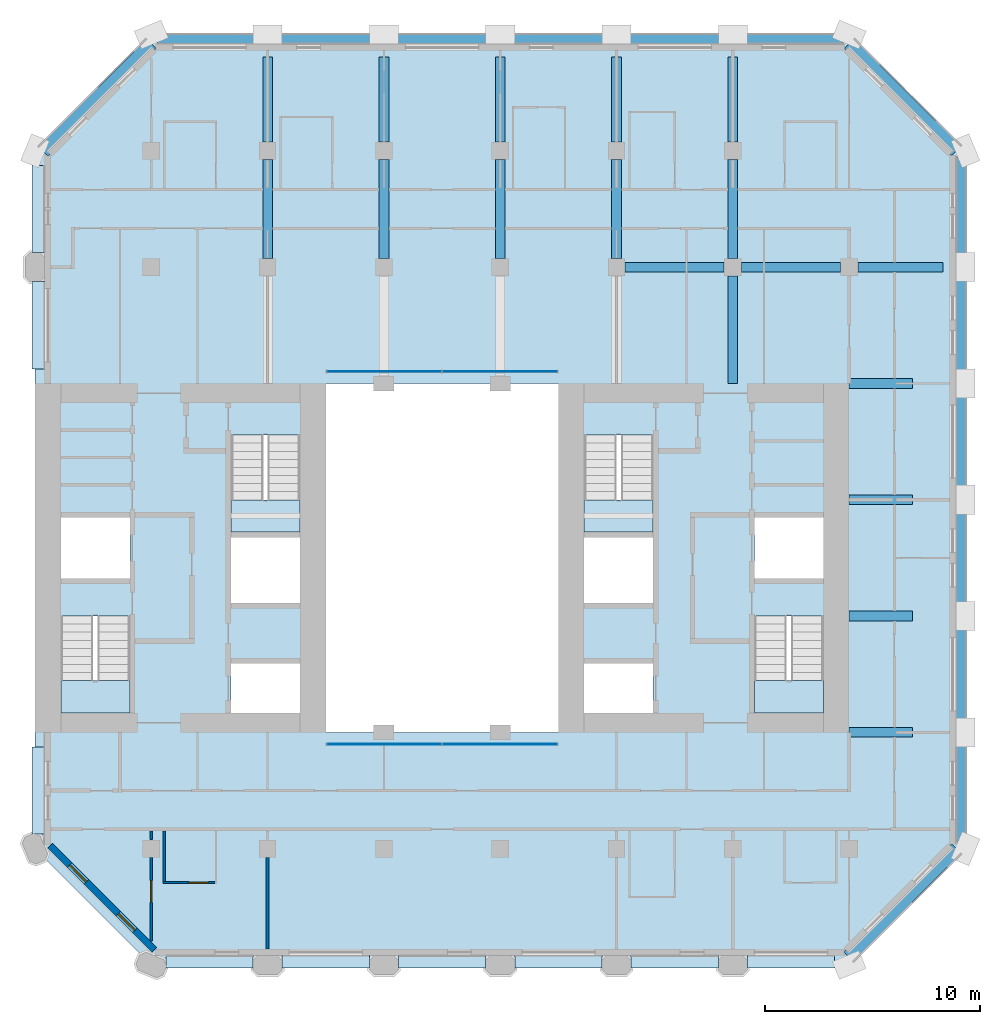
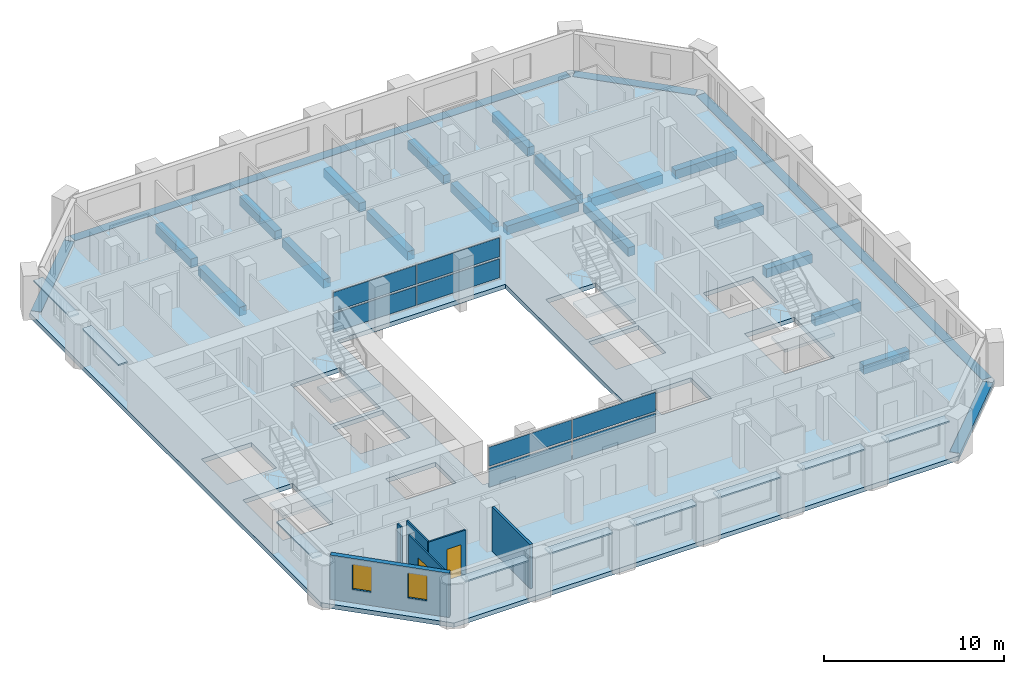
# One storey, part 3 of 12: 23 beams, 17 plates, 6 walls, 5 slabs, 2 doors, 2 windows, 4 openings, 6 elements without a shape of their own.
"""IFC4 building model written with IfcOpenShell, lengths in metres."""

from ifc_helpers import new_model, si_unit, direction, frame, frame_2d, origin, origin_2d, place, context, subcontext, project, spatial, polyline, rectangle, outline, extrude, material, layer, layer_set, material_profile, profile_set, type_object, element, fill, aggregate, save


model = new_model("IFC4")

# Units and contexts
model_context = context("Model", 3, precision=1e-05, world=origin(), true_north=direction((0.0, 1.0)))
body_context = subcontext(model_context, "Body", "Model", "MODEL_VIEW")
ifc_project = project(units=[si_unit("LENGTHUNIT", "METRE"), si_unit("AREAUNIT", "SQUARE_METRE"), si_unit("VOLUMEUNIT", "CUBIC_METRE"), si_unit("PLANEANGLEUNIT", "RADIAN"), si_unit("MASSUNIT", "GRAM", prefix="KILO")], contexts=[model_context])

# Site, building, storey
site_placement = place(None, origin())
site = spatial("IfcSite", under=ifc_project, at=site_placement, CompositionType="ELEMENT")
building_placement = place(site_placement, origin())
building = spatial("IfcBuilding", under=site, at=building_placement, Name="Tabaq Tower and Sports Hall", CompositionType="ELEMENT")
storey_placement = place(building_placement, frame((0.0, 0.0, 197.199951171875)))
storey = spatial("IfcBuildingStorey", under=building, at=storey_placement, Name="L48", CompositionType="ELEMENT", Elevation=197.199951171875)

# Beams
ifc_material_1 = material(Name="Concrete C40/50", Category="concrete")
ifc_material_profile_1 = material_profile(ifc_material_1, rectangle(XDim=0.449951171875, YDim=0.60009765625, at=origin_2d()), Name="CB 450x600")
ifc_profile_set_1 = profile_set([ifc_material_profile_1], Name="Concrete C40/50")
beam_type_1 = type_object("IfcBeamType", Name="PT CANTILEVER BEAM CB 450x600 C40/50", PredefinedType="BEAM", material=ifc_profile_set_1)
for number, where, z_axis, x_axis, name in (
    (1, (46.14990234375, 16.199951171875, -0.599853515625), (-1.0, 0.0, 0.0), (0.0, -1.0, 0.0), "Cantilever Beam L48 E3 span 1"),
    (2, (46.14990234375, 21.60009765625, -0.599853515625), (-1.0, 0.0, 0.0), (0.0, -1.0, 0.0), "Cantilever Beam L48 E4 span 1"),
    (3, (46.14990234375, 27.0, -0.599853515625), (-1.0, 0.0, 0.0), (0.0, -1.0, 0.0), "Cantilever Beam L48 E5 span 1"),
    (4, (46.14990234375, 32.39990234375, -0.599853515625), (-1.0, 0.0, 0.0), (0.0, -1.0, 0.0), "Cantilever Beam L48 E6 span 1"),
):
    element("IfcBeam", number, at=place(storey_placement, frame(where, z_axis=z_axis, x_axis=x_axis)), inside=storey, type_object=beam_type_1, Name=name, PredefinedType="BEAM", context=body_context, shape_type="SweptSolid", body=[
        extrude(rectangle(XDim=0.449951171875, YDim=0.60009765625, at=origin_2d()), origin(), (0.0, 0.0, 1.0), 2.949951171875),
    ])
beam_1_placement = place(storey_placement, frame((47.550048828125, 37.800048828125, -0.599853515625), z_axis=(-1.0, 0.0, 0.0), x_axis=(0.0, -1.0, 0.0)))
element("IfcBeam", 5, at=beam_1_placement, inside=storey, type_object=beam_type_1, Name="Cantilever Beam L48 E7 span 1", PredefinedType="BEAM", context=body_context, shape_type="SweptSolid", body=[
    extrude(rectangle(XDim=0.449951171875, YDim=0.60009765625, at=origin_2d()), origin(), (0.0, 0.0, 1.0), 3.949951171875),
])
beam_2_placement = place(storey_placement, frame((42.800048828125, 37.800048828125, -0.599853515625), z_axis=(-1.0, 0.0, 0.0), x_axis=(0.0, -1.0, 0.0)))
element("IfcBeam", 6, at=beam_2_placement, inside=storey, type_object=beam_type_1, Name="Cantilever Beam L48 E7 span 2", PredefinedType="BEAM", context=body_context, shape_type="SweptSolid", body=[
    extrude(rectangle(XDim=0.449951171875, YDim=0.60009765625, at=origin_2d()), origin(), (0.0, 0.0, 1.0), 4.60009765625),
])
beam_3_placement = place(storey_placement, frame((37.39990234375, 37.800048828125, -0.599853515625), z_axis=(-1.0, 0.0, 0.0), x_axis=(0.0, -1.0, 0.0)))
element("IfcBeam", 7, at=beam_3_placement, inside=storey, type_object=beam_type_1, Name="Cantilever Beam L48 E7 span 3", PredefinedType="BEAM", context=body_context, shape_type="SweptSolid", body=[
    extrude(rectangle(XDim=0.449951171875, YDim=0.60009765625, at=origin_2d()), origin(), (0.0, 0.0, 1.0), 4.599853515625),
])
beam_4_placement = place(storey_placement, frame((16.199951171875, 47.550048828125, -0.599853515625), z_axis=(0.0, -1.0, 0.0), x_axis=(1.0, 0.0, 0.0)))
element("IfcBeam", 8, at=beam_4_placement, inside=storey, type_object=beam_type_1, Name="Cantilever Beam L48 N3 span 1", PredefinedType="BEAM", context=body_context, shape_type="SweptSolid", body=[
    extrude(rectangle(XDim=0.449951171875, YDim=0.60009765625, at=origin_2d()), origin(), (0.0, 0.0, 1.0), 3.949951171875),
])
beam_5_placement = place(storey_placement, frame((16.199951171875, 42.800048828125, -0.599853515625), z_axis=(0.0, -1.0, 0.0), x_axis=(1.0, 0.0, 0.0)))
element("IfcBeam", 9, at=beam_5_placement, inside=storey, type_object=beam_type_1, Name="Cantilever Beam L48 N3 span 2", PredefinedType="BEAM", context=body_context, shape_type="SweptSolid", body=[
    extrude(rectangle(XDim=0.449951171875, YDim=0.60009765625, at=origin_2d()), origin(), (0.0, 0.0, 1.0), 4.60009765625),
])
beam_6_placement = place(storey_placement, frame((21.60009765625, 47.550048828125, -0.599853515625), z_axis=(0.0, -1.0, 0.0), x_axis=(1.0, 0.0, 0.0)))
element("IfcBeam", 10, at=beam_6_placement, inside=storey, type_object=beam_type_1, Name="Cantilever Beam L48 N4 span 1", PredefinedType="BEAM", context=body_context, shape_type="SweptSolid", body=[
    extrude(rectangle(XDim=0.449951171875, YDim=0.60009765625, at=origin_2d()), origin(), (0.0, 0.0, 1.0), 3.949951171875),
])
beam_7_placement = place(storey_placement, frame((21.60009765625, 42.800048828125, -0.599853515625), z_axis=(0.0, -1.0, 0.0), x_axis=(1.0, 0.0, 0.0)))
element("IfcBeam", 11, at=beam_7_placement, inside=storey, type_object=beam_type_1, Name="Cantilever Beam L48 N4 span 2", PredefinedType="BEAM", context=body_context, shape_type="SweptSolid", body=[
    extrude(rectangle(XDim=0.449951171875, YDim=0.60009765625, at=origin_2d()), origin(), (0.0, 0.0, 1.0), 4.60009765625),
])
beam_8_placement = place(storey_placement, frame((27.0, 47.550048828125, -0.599853515625), z_axis=(0.0, -1.0, 0.0), x_axis=(1.0, 0.0, 0.0)))
element("IfcBeam", 12, at=beam_8_placement, inside=storey, type_object=beam_type_1, Name="Cantilever Beam L48 N5 span 1", PredefinedType="BEAM", context=body_context, shape_type="SweptSolid", body=[
    extrude(rectangle(XDim=0.449951171875, YDim=0.60009765625, at=origin_2d()), origin(), (0.0, 0.0, 1.0), 3.949951171875),
])
beam_9_placement = place(storey_placement, frame((27.0, 42.800048828125, -0.599853515625), z_axis=(0.0, -1.0, 0.0), x_axis=(1.0, 0.0, 0.0)))
element("IfcBeam", 13, at=beam_9_placement, inside=storey, type_object=beam_type_1, Name="Cantilever Beam L48 N5 span 2", PredefinedType="BEAM", context=body_context, shape_type="SweptSolid", body=[
    extrude(rectangle(XDim=0.449951171875, YDim=0.60009765625, at=origin_2d()), origin(), (0.0, 0.0, 1.0), 4.60009765625),
])
beam_10_placement = place(storey_placement, frame((32.39990234375, 47.550048828125, -0.599853515625), z_axis=(0.0, -1.0, 0.0), x_axis=(1.0, 0.0, 0.0)))
element("IfcBeam", 14, at=beam_10_placement, inside=storey, type_object=beam_type_1, Name="Cantilever Beam L48 N6 span 1", PredefinedType="BEAM", context=body_context, shape_type="SweptSolid", body=[
    extrude(rectangle(XDim=0.449951171875, YDim=0.60009765625, at=origin_2d()), origin(), (0.0, 0.0, 1.0), 3.949951171875),
])
beam_11_placement = place(storey_placement, frame((32.39990234375, 42.800048828125, -0.599853515625), z_axis=(0.0, -1.0, 0.0), x_axis=(1.0, 0.0, 0.0)))
element("IfcBeam", 15, at=beam_11_placement, inside=storey, type_object=beam_type_1, Name="Cantilever Beam L48 N6 span 2", PredefinedType="BEAM", context=body_context, shape_type="SweptSolid", body=[
    extrude(rectangle(XDim=0.449951171875, YDim=0.60009765625, at=origin_2d()), origin(), (0.0, 0.0, 1.0), 4.60009765625),
])
beam_12_placement = place(storey_placement, frame((37.800048828125, 47.550048828125, -0.599853515625), z_axis=(0.0, -1.0, 0.0), x_axis=(1.0, 0.0, 0.0)))
element("IfcBeam", 16, at=beam_12_placement, inside=storey, type_object=beam_type_1, Name="Cantilever Beam L48 N7 span 1", PredefinedType="BEAM", context=body_context, shape_type="SweptSolid", body=[
    extrude(rectangle(XDim=0.449951171875, YDim=0.60009765625, at=origin_2d()), origin(), (0.0, 0.0, 1.0), 3.949951171875),
])
beam_13_placement = place(storey_placement, frame((37.800048828125, 42.800048828125, -0.599853515625), z_axis=(0.0, -1.0, 0.0), x_axis=(1.0, 0.0, 0.0)))
element("IfcBeam", 17, at=beam_13_placement, inside=storey, type_object=beam_type_1, Name="Cantilever Beam L48 N7 span 2", PredefinedType="BEAM", context=body_context, shape_type="SweptSolid", body=[
    extrude(rectangle(XDim=0.449951171875, YDim=0.60009765625, at=origin_2d()), origin(), (0.0, 0.0, 1.0), 4.60009765625),
])
beam_14_placement = place(storey_placement, frame((37.800048828125, 37.39990234375, -0.599853515625), z_axis=(0.0, -1.0, 0.0), x_axis=(1.0, 0.0, 0.0)))
element("IfcBeam", 18, at=beam_14_placement, inside=storey, type_object=beam_type_1, Name="Cantilever Beam L48 N7 span 3", PredefinedType="BEAM", context=body_context, shape_type="SweptSolid", body=[
    extrude(rectangle(XDim=0.449951171875, YDim=0.60009765625, at=origin_2d()), origin(), (0.0, 0.0, 1.0), 5.0),
])
ifc_material_2 = material(Name="Concrete C40/50", Category="concrete")
ifc_material_profile_2 = material_profile(ifc_material_2, rectangle(XDim=0.60009765625, YDim=0.300048828125, at=origin_2d()), Name="EB 600x300")
ifc_profile_set_2 = profile_set([ifc_material_profile_2], Name="Concrete C40/50")
beam_type_2 = type_object("IfcBeamType", Name="PT EDGE BEAM EB 600x300 C40/50", PredefinedType="SPANDREL", material=ifc_profile_set_2)
beam_15_placement = place(storey_placement, frame((43.16455078125, 5.788818359375, -0.14990234375), z_axis=(0.707106781187, 0.707106781187, 0.0), x_axis=(-0.707106781187, 0.707106781187, 0.0)))
element("IfcBeam", 19, at=beam_15_placement, inside=storey, type_object=beam_type_2, Name="Edge Beam L48 1", PredefinedType="SPANDREL", context=body_context, shape_type="SweptSolid", body=[
    extrude(rectangle(XDim=0.60009765625, YDim=0.300048828125, at=origin_2d()), origin(), (0.0, 0.0, 1.0), 7.08837890625),
])
beam_16_placement = place(storey_placement, frame((48.300048828125, 11.0986328125, -0.14990234375), z_axis=(0.0, 1.0, 0.0), x_axis=(-1.0, 0.0, 0.0)))
element("IfcBeam", 20, at=beam_16_placement, inside=storey, type_object=beam_type_2, Name="Edge Beam L48 2", PredefinedType="SPANDREL", context=body_context, shape_type="SweptSolid", body=[
    extrude(rectangle(XDim=0.60009765625, YDim=0.300048828125, at=origin_2d()), origin(), (0.0, 0.0, 1.0), 31.802734375),
])
beam_17_placement = place(storey_placement, frame((48.1767578125, 43.198974609375, -0.14990234375), z_axis=(-0.707106781187, 0.707106781187, 0.0), x_axis=(-0.707106781187, -0.707106781187, 0.0)))
element("IfcBeam", 21, at=beam_17_placement, inside=storey, type_object=beam_type_2, Name="Edge Beam L48 3", PredefinedType="SPANDREL", context=body_context, shape_type="SweptSolid", body=[
    extrude(rectangle(XDim=0.60009765625, YDim=0.300048828125, at=origin_2d()), origin(), (0.0, 0.0, 1.0), 7.03955078125),
])
beam_18_placement = place(storey_placement, frame((42.9013671875, 48.300048828125, -0.14990234375), z_axis=(-1.0, 0.0, 0.0), x_axis=(0.0, -1.0, 0.0)))
element("IfcBeam", 22, at=beam_18_placement, inside=storey, type_object=beam_type_2, Name="Edge Beam L48 4", PredefinedType="SPANDREL", context=body_context, shape_type="SweptSolid", body=[
    extrude(rectangle(XDim=0.60009765625, YDim=0.300048828125, at=origin_2d()), origin(), (0.0, 0.0, 1.0), 31.802734375),
])
beam_19_placement = place(storey_placement, frame((10.801025390625, 48.1767578125, -0.14990234375), z_axis=(-0.707106781187, -0.707106781187, 0.0), x_axis=(0.707106781187, -0.707106781187, 0.0)))
element("IfcBeam", 23, at=beam_19_placement, inside=storey, type_object=beam_type_2, Name="Edge Beam L48 5", PredefinedType="SPANDREL", context=body_context, shape_type="SweptSolid", body=[
    extrude(rectangle(XDim=0.60009765625, YDim=0.300048828125, at=origin_2d()), origin(), (0.0, 0.0, 1.0), 7.08837890625),
])

# Curtain wall, plates
ifc_material_3 = material(Name="Aluminium alloy 6063-T6 framed glazing", Category="aluminium")
curtain_wall_type = type_object("IfcCurtainWallType", Name="CW1 curtain wall", PredefinedType="USERDEFINED", material=ifc_material_3)
curtain_wall_1_placement = place(storey_placement, origin())
curtain_wall_1 = element("IfcCurtainWall", 24, at=curtain_wall_1_placement, inside=storey, type_object=curtain_wall_type, Name="Atrium glazing L48 S", ObjectType="ATRIUM ENCLOSURE", PredefinedType="USERDEFINED")
ifc_material_4 = material(Name="Clear low-emissivity glass 28 mm", Category="glass")
ifc_layer_1 = layer(ifc_material_4, 0.028076171875)
ifc_layer_set_1 = layer_set([ifc_layer_1], Name="CW1 glass panel 28")
plate_type_1 = type_object("IfcPlateType", Name="CW1 glass panel 28", PredefinedType="CURTAIN_PANEL", material=ifc_layer_set_1)
plate_1_placement = place(storey_placement, frame((21.614990234375, 15.64990234375, 0.14013671875), z_axis=(0.0, 0.0, 1.0), x_axis=(1.0, 0.0, 0.0)))
plate_1 = element("IfcPlate", 25, at=plate_1_placement, type_object=plate_type_1, Name="CW1 panel 1.1", PredefinedType="CURTAIN_PANEL", context=body_context, shape_type="SweptSolid", body=[
    extrude(rectangle(XDim=5.31005859375, YDim=0.028076171875, at=origin_2d()), origin(), (0.0, 0.0, 1.0), 1.2900390625),
])
plate_2_placement = place(storey_placement, frame((21.614990234375, 15.64990234375, 1.570068359375), z_axis=(0.0, 0.0, 1.0), x_axis=(1.0, 0.0, 0.0)))
plate_2 = element("IfcPlate", 26, at=plate_2_placement, type_object=plate_type_1, Name="CW1 panel 1.2", PredefinedType="CURTAIN_PANEL", context=body_context, shape_type="SweptSolid", body=[
    extrude(rectangle(XDim=5.31005859375, YDim=0.028076171875, at=origin_2d()), origin(), (0.0, 0.0, 1.0), 1.2900390625),
])
plate_3_placement = place(storey_placement, frame((26.985107421875, 15.64990234375, 0.14013671875), z_axis=(0.0, 0.0, 1.0), x_axis=(1.0, 0.0, 0.0)))
plate_3 = element("IfcPlate", 27, at=plate_3_placement, type_object=plate_type_1, Name="CW1 panel 2.1", PredefinedType="CURTAIN_PANEL", context=body_context, shape_type="SweptSolid", body=[
    extrude(rectangle(XDim=5.31005859375, YDim=0.028076171875, at=origin_2d()), origin(), (0.0, 0.0, 1.0), 1.2900390625),
])
plate_4_placement = place(storey_placement, frame((26.985107421875, 15.64990234375, 1.570068359375), z_axis=(0.0, 0.0, 1.0), x_axis=(1.0, 0.0, 0.0)))
plate_4 = element("IfcPlate", 28, at=plate_4_placement, type_object=plate_type_1, Name="CW1 panel 2.2", PredefinedType="CURTAIN_PANEL", context=body_context, shape_type="SweptSolid", body=[
    extrude(rectangle(XDim=5.31005859375, YDim=0.028076171875, at=origin_2d()), origin(), (0.0, 0.0, 1.0), 1.2900390625),
])
aggregate(curtain_wall_1, [plate_1, plate_2, plate_3, plate_4])

curtain_wall_2_placement = place(storey_placement, origin())
curtain_wall_2 = element("IfcCurtainWall", 29, at=curtain_wall_2_placement, inside=storey, type_object=curtain_wall_type, Name="Atrium glazing L48 N", ObjectType="ATRIUM ENCLOSURE", PredefinedType="USERDEFINED")
plate_5_placement = place(storey_placement, frame((21.614990234375, 32.949951171875, 0.14013671875), z_axis=(0.0, 0.0, 1.0), x_axis=(1.0, 0.0, 0.0)))
plate_5 = element("IfcPlate", 30, at=plate_5_placement, type_object=plate_type_1, Name="CW1 panel 1.1", PredefinedType="CURTAIN_PANEL", context=body_context, shape_type="SweptSolid", body=[
    extrude(rectangle(XDim=5.31005859375, YDim=0.028076171875, at=origin_2d()), origin(), (0.0, 0.0, 1.0), 1.2900390625),
])
plate_6_placement = place(storey_placement, frame((21.614990234375, 32.949951171875, 1.570068359375), z_axis=(0.0, 0.0, 1.0), x_axis=(1.0, 0.0, 0.0)))
plate_6 = element("IfcPlate", 31, at=plate_6_placement, type_object=plate_type_1, Name="CW1 panel 1.2", PredefinedType="CURTAIN_PANEL", context=body_context, shape_type="SweptSolid", body=[
    extrude(rectangle(XDim=5.31005859375, YDim=0.028076171875, at=origin_2d()), origin(), (0.0, 0.0, 1.0), 1.2900390625),
])
plate_7_placement = place(storey_placement, frame((26.985107421875, 32.949951171875, 0.14013671875), z_axis=(0.0, 0.0, 1.0), x_axis=(1.0, 0.0, 0.0)))
plate_7 = element("IfcPlate", 32, at=plate_7_placement, type_object=plate_type_1, Name="CW1 panel 2.1", PredefinedType="CURTAIN_PANEL", context=body_context, shape_type="SweptSolid", body=[
    extrude(rectangle(XDim=5.31005859375, YDim=0.028076171875, at=origin_2d()), origin(), (0.0, 0.0, 1.0), 1.2900390625),
])
plate_8_placement = place(storey_placement, frame((26.985107421875, 32.949951171875, 1.570068359375), z_axis=(0.0, 0.0, 1.0), x_axis=(1.0, 0.0, 0.0)))
plate_8 = element("IfcPlate", 33, at=plate_8_placement, type_object=plate_type_1, Name="CW1 panel 2.2", PredefinedType="CURTAIN_PANEL", context=body_context, shape_type="SweptSolid", body=[
    extrude(rectangle(XDim=5.31005859375, YDim=0.028076171875, at=origin_2d()), origin(), (0.0, 0.0, 1.0), 1.2900390625),
])
aggregate(curtain_wall_2, [plate_5, plate_6, plate_7, plate_8])

# Stair, slab
ifc_material_5 = material(Name="Concrete C40/50", Category="concrete")
stair_type = type_object("IfcStairType", Name="Exit stair", PredefinedType="HALF_TURN_STAIR", material=ifc_material_5)
stair_1_placement = place(storey_placement, origin())
stair_1 = element("IfcStair", 34, at=stair_1_placement, inside=storey, type_object=stair_type, Name="L48 Exit stair ST1", PredefinedType="HALF_TURN_STAIR")
ifc_material_6 = material(Name="Concrete C40/50", Category="concrete")
ifc_layer_2 = layer(ifc_material_6, 0.199951171875)
ifc_layer_set_2 = layer_set([ifc_layer_2], Name="Exit stair landing")
slab_type_1 = type_object("IfcSlabType", Name="Exit stair landing", PredefinedType="LANDING", material=ifc_layer_set_2)
slab_1_placement = place(storey_placement, frame((0.0, 0.0, 1.449951171875)))
slab_1 = element("IfcSlab", 35, at=slab_1_placement, type_object=slab_type_1, Name="ST1 landing 1", PredefinedType="LANDING", context=body_context, shape_type="SweptSolid", body=[
    extrude(outline(polyline([(6.60009765625, 18.60009765625), (6.60009765625, 17.10009765625), (9.800048828125, 17.10009765625), (9.800048828125, 18.60009765625), (6.60009765625, 18.60009765625)])), origin(), (0.0, 0.0, 1.0), 0.2001953125),
])
aggregate(stair_1, [slab_1])

stair_2_placement = place(storey_placement, origin())
stair_2 = element("IfcStair", 36, at=stair_2_placement, inside=storey, type_object=stair_type, Name="L48 Exit stair ST2", PredefinedType="HALF_TURN_STAIR")
slab_2_placement = place(storey_placement, frame((0.0, 0.0, 1.449951171875)))
slab_2 = element("IfcSlab", 37, at=slab_2_placement, type_object=slab_type_1, Name="ST2 landing 1", PredefinedType="LANDING", context=body_context, shape_type="SweptSolid", body=[
    extrude(outline(polyline([(14.5, 27.0), (14.5, 25.5), (17.699951171875, 25.5), (17.699951171875, 27.0), (14.5, 27.0)])), origin(), (0.0, 0.0, 1.0), 0.2001953125),
])
aggregate(stair_2, [slab_2])

stair_3_placement = place(storey_placement, origin())
stair_3 = element("IfcStair", 38, at=stair_3_placement, inside=storey, type_object=stair_type, Name="L48 Exit stair ST3", PredefinedType="HALF_TURN_STAIR")
slab_3_placement = place(storey_placement, frame((0.0, 0.0, 1.449951171875)))
slab_3 = element("IfcSlab", 39, at=slab_3_placement, type_object=slab_type_1, Name="ST3 landing 1", PredefinedType="LANDING", context=body_context, shape_type="SweptSolid", body=[
    extrude(outline(polyline([(38.800048828125, 18.60009765625), (38.800048828125, 17.10009765625), (42.0, 17.10009765625), (42.0, 18.60009765625), (38.800048828125, 18.60009765625)])), origin(), (0.0, 0.0, 1.0), 0.2001953125),
])
aggregate(stair_3, [slab_3])

stair_4_placement = place(storey_placement, origin())
stair_4 = element("IfcStair", 40, at=stair_4_placement, inside=storey, type_object=stair_type, Name="L48 Exit stair ST4", PredefinedType="HALF_TURN_STAIR")
slab_4_placement = place(storey_placement, frame((0.0, 0.0, 1.449951171875)))
slab_4 = element("IfcSlab", 41, at=slab_4_placement, type_object=slab_type_1, Name="ST4 landing 1", PredefinedType="LANDING", context=body_context, shape_type="SweptSolid", body=[
    extrude(outline(polyline([(30.89990234375, 27.0), (30.89990234375, 25.5), (34.10009765625, 25.5), (34.10009765625, 27.0), (30.89990234375, 27.0)])), origin(), (0.0, 0.0, 1.0), 0.2001953125),
])
aggregate(stair_4, [slab_4])

# Slab
ifc_material_7 = material(Name="Concrete C40/50", Category="concrete")
ifc_layer_3 = layer(ifc_material_7, 0.300048828125)
ifc_layer_set_3 = layer_set([ifc_layer_3], Name="PT FLOOR SLAB 300 C40/50")
slab_type_2 = type_object("IfcSlabType", Name="PT FLOOR SLAB 300 C40/50", PredefinedType="FLOOR", material=ifc_layer_set_3)
slab_5_placement = place(storey_placement, frame((0.0, 0.0, -0.300048828125)))
element("IfcSlab", 42, at=slab_5_placement, inside=storey, type_object=slab_type_2, Name="Floor Slab L48", PredefinedType="FLOOR", context=body_context, shape_type="SweptSolid", body=[
    extrude(outline(polyline([(5.39990234375, 43.199951171875), (5.39990234375, 10.800048828125), (10.800048828125, 5.39990234375), (43.199951171875, 5.39990234375), (43.376708984375, 5.57666015625), (42.952392578125, 6.0009765625), (47.964599609375, 11.01318359375), (48.035400390625, 10.9423828125), (48.388916015625, 10.5888671875), (48.60009765625, 10.800048828125), (48.60009765625, 11.0986328125), (48.10009765625, 11.0986328125), (48.0, 11.0986328125), (48.0, 42.9013671875), (48.10009765625, 42.9013671875), (48.60009765625, 42.9013671875), (48.60009765625, 43.199951171875), (48.388916015625, 43.4111328125), (48.035400390625, 43.0576171875), (47.964599609375, 42.98681640625), (42.98681640625, 47.964599609375), (43.0576171875, 48.035400390625), (43.4111328125, 48.388916015625), (43.199951171875, 48.60009765625), (42.9013671875, 48.60009765625), (42.9013671875, 48.10009765625), (42.9013671875, 48.0), (11.0986328125, 48.0), (11.0986328125, 48.10009765625), (11.0986328125, 48.60009765625), (10.800048828125, 48.60009765625), (10.5888671875, 48.388916015625), (10.9423828125, 48.035400390625), (11.01318359375, 47.964599609375), (6.0009765625, 42.952392578125), (5.57666015625, 43.376708984375), (5.39990234375, 43.199951171875)]), holes=[polyline([(14.5, 19.39990234375), (17.699951171875, 19.39990234375), (17.699951171875, 17.10009765625), (14.5, 17.10009765625), (14.5, 19.39990234375)]), polyline([(6.60009765625, 21.599365234375), (9.800048828125, 21.599365234375), (9.800048828125, 17.10009765625), (6.60009765625, 17.10009765625), (6.60009765625, 21.599365234375)]), polyline([(14.5, 25.25), (17.699951171875, 25.25), (17.699951171875, 22.199951171875), (14.5, 22.199951171875), (14.5, 25.25)]), polyline([(18.89990234375, 32.39990234375), (29.699951171875, 32.39990234375), (29.699951171875, 16.199951171875), (18.89990234375, 16.199951171875), (18.89990234375, 32.39990234375)]), polyline([(9.800048828125, 26.175048828125), (9.800048828125, 23.35009765625), (6.60009765625, 23.35009765625), (6.60009765625, 26.175048828125), (9.800048828125, 26.175048828125)]), polyline([(14.5, 29.99951171875), (17.699951171875, 29.99951171875), (17.699951171875, 25.5), (14.5, 25.5), (14.5, 29.99951171875)]), polyline([(34.10009765625, 19.39990234375), (34.10009765625, 17.10009765625), (30.89990234375, 17.10009765625), (30.89990234375, 19.39990234375), (34.10009765625, 19.39990234375)]), polyline([(42.0, 21.599365234375), (42.0, 17.10009765625), (38.800048828125, 17.10009765625), (38.800048828125, 21.599365234375), (42.0, 21.599365234375)]), polyline([(30.89990234375, 25.25), (34.10009765625, 25.25), (34.10009765625, 22.199951171875), (30.89990234375, 22.199951171875), (30.89990234375, 25.25)]), polyline([(42.0, 26.175048828125), (42.0, 23.35009765625), (38.800048828125, 23.35009765625), (38.800048828125, 26.175048828125), (42.0, 26.175048828125)]), polyline([(34.10009765625, 29.99951171875), (34.10009765625, 25.5), (30.89990234375, 25.5), (30.89990234375, 29.99951171875), (34.10009765625, 29.99951171875)])]), origin(), (0.0, 0.0, 1.0), 0.300048828125),
])

# Plates
ifc_material_8 = material(Name="White precast concrete C60/75 blade", Category="concrete")
ifc_layer_4 = layer(ifc_material_8, 0.10009765625)
ifc_layer_set_4 = layer_set([ifc_layer_4], Name="White precast concrete C60/75 sunshade 100")
plate_type_2 = type_object("IfcPlateType", Name="White precast concrete C60/75 sunshade 100", PredefinedType="USERDEFINED", material=ifc_layer_set_4)
for number, where, z_axis, x_axis, name in (
    (43, (13.5, 5.550048828125, 2.60009765625), (0.0, 0.0, 1.0), (1.0, 0.0, 0.0), "Sunshade L48 S"),
    (44, (18.89990234375, 5.550048828125, 2.60009765625), (0.0, 0.0, 1.0), (1.0, 0.0, 0.0), "Sunshade L48 S"),
    (45, (24.300048828125, 5.550048828125, 2.60009765625), (0.0, 0.0, 1.0), (1.0, 0.0, 0.0), "Sunshade L48 S"),
    (46, (29.699951171875, 5.550048828125, 2.60009765625), (0.0, 0.0, 1.0), (1.0, 0.0, 0.0), "Sunshade L48 S"),
    (47, (35.10009765625, 5.550048828125, 2.60009765625), (0.0, 0.0, 1.0), (1.0, 0.0, 0.0), "Sunshade L48 S"),
    (48, (40.5, 5.550048828125, 2.60009765625), (0.0, 0.0, 1.0), (1.0, 0.0, 0.0), "Sunshade L48 S"),
    (49, (5.550048828125, 40.5, 2.60009765625), (0.0, 0.0, 1.0), (0.0, -1.0, 0.0), "Sunshade L48 W"),
    (50, (5.550048828125, 35.10009765625, 2.60009765625), (0.0, 0.0, 1.0), (0.0, -1.0, 0.0), "Sunshade L48 W"),
    (51, (5.550048828125, 13.5, 2.60009765625), (0.0, 0.0, 1.0), (0.0, -1.0, 0.0), "Sunshade L48 W"),
):
    element("IfcPlate", number, at=place(storey_placement, frame(where, z_axis=z_axis, x_axis=x_axis)), inside=storey, type_object=plate_type_2, Name=name, ObjectType="SUNSHADE", PredefinedType="USERDEFINED", context=body_context, shape_type="SweptSolid", body=[
        extrude(rectangle(XDim=4.050048828125, YDim=0.60009765625, at=origin_2d()), origin(), (0.0, 0.0, 1.0), 0.10009765625),
    ])

# Wall, opening, door
ifc_material_9 = material(Name="Gypsum board on steel studs", Category="steel")
ifc_layer_5 = layer(ifc_material_9, 0.10009765625)
ifc_layer_set_5 = layer_set([ifc_layer_5], Name="Partition 100 Gypsum board")
wall_type_1 = type_object("IfcWallType", Name="Partition 100 Gypsum board", PredefinedType="PARTITIONING", material=ifc_layer_set_5)
wall_1_placement = place(storey_placement, frame((13.75, 9.22509765625, 0.0), z_axis=(0.0, 0.0, 1.0), x_axis=(-1.0, 0.0, 0.0)))
wall_1 = element("IfcWall", 52, at=wall_1_placement, inside=storey, type_object=wall_type_1, Name="Partition wall L48", PredefinedType="PARTITIONING", context=body_context, shape_type="SweptSolid", body=[
    extrude(rectangle(XDim=2.39990234375, YDim=0.10009765625, at=frame_2d((1.199951171875, 0.0))), origin(), (0.0, 0.0, 1.0), 3.0),
])
opening_1_placement = place(wall_1_placement, frame((0.300048828125, 0.0, 0.0)))
opening_1 = element("IfcOpeningElement", 53, at=opening_1_placement, cuts=wall_1, Name="Opening L48-014", PredefinedType="OPENING", context=body_context, shape_type="SweptSolid", body=[
    extrude(rectangle(XDim=0.89990234375, YDim=2.10009765625, at=frame_2d((0.449951171875, 1.050048828125))), frame((0.0, 0.050048828125, 0.0), z_axis=(0.0, -1.0, 0.0), x_axis=(1.0, 0.0, 0.0)), (0.0, 0.0, 1.0), 0.10009765625),
])
ifc_material_10 = material(Name="Timber leaf in steel frame", Category="steel")
door_type_1 = type_object("IfcDoorType", Name="Internal door 900 right hand", OperationType="SINGLE_SWING_RIGHT", PredefinedType="DOOR", material=ifc_material_10)
door_1_placement = place(opening_1_placement, origin())
door_1 = element("IfcDoor", 54, at=door_1_placement, inside=storey, type_object=door_type_1, Name="Internal door L48-014", OperationType="SINGLE_SWING_RIGHT", OverallHeight=2.10009765625, OverallWidth=0.89990234375, PredefinedType="DOOR", context=body_context, shape_type="SweptSolid", body=[
    extrude(rectangle(XDim=0.89990234375, YDim=2.10009765625, at=frame_2d((0.449951171875, 1.050048828125))), frame((0.0, 0.02490234375, 0.0), z_axis=(0.0, -1.0, 0.0), x_axis=(1.0, 0.0, 0.0)), (0.0, 0.0, 1.0), 0.050048828125),
])
fill(opening_1, door_1)

# Walls
wall_2_placement = place(storey_placement, frame((11.39990234375, 9.27490234375, 0.0), z_axis=(0.0, 0.0, 1.0), x_axis=(0.0, 1.0, 0.0)))
element("IfcWall", 55, at=wall_2_placement, inside=storey, type_object=wall_type_1, Name="Partition wall L48", PredefinedType="PARTITIONING", context=body_context, shape_type="SweptSolid", body=[
    extrude(rectangle(XDim=2.35009765625, YDim=0.10009765625, at=frame_2d((1.175048828125, 0.0))), origin(), (0.0, 0.0, 1.0), 3.0),
])
wall_3_placement = place(storey_placement, frame((10.800048828125, 11.625, 0.0), z_axis=(0.0, 0.0, 1.0), x_axis=(0.0, -1.0, 0.0)))
element("IfcWall", 56, at=wall_3_placement, inside=storey, type_object=wall_type_1, Name="Partition wall L48", PredefinedType="PARTITIONING", context=body_context, shape_type="SweptSolid", body=[
    extrude(rectangle(XDim=0.405029296875, YDim=0.10009765625, at=frame_2d((0.20263671875, 0.0))), origin(), (0.0, 0.0, 1.0), 3.0),
])

# Wall, opening, door
wall_4_placement = place(storey_placement, frame((10.800048828125, 10.3798828125, 0.0), z_axis=(0.0, 0.0, 1.0), x_axis=(0.0, -1.0, 0.0)))
wall_4 = element("IfcWall", 57, at=wall_4_placement, inside=storey, type_object=wall_type_1, Name="Partition wall L48", PredefinedType="PARTITIONING", context=body_context, shape_type="SweptSolid", body=[
    extrude(rectangle(XDim=3.86767578125, YDim=0.10009765625, at=frame_2d((1.933837890625, 0.0))), origin(), (0.0, 0.0, 1.0), 3.0),
])
opening_2_placement = place(wall_4_placement, frame((1.0673828125, 0.0, 0.0)))
opening_2 = element("IfcOpeningElement", 58, at=opening_2_placement, cuts=wall_4, Name="Opening L48-034", PredefinedType="OPENING", context=body_context, shape_type="SweptSolid", body=[
    extrude(rectangle(XDim=1.0, YDim=2.10009765625, at=frame_2d((0.5, 1.050048828125))), frame((0.0, 0.050048828125, 0.0), z_axis=(0.0, -1.0, 0.0), x_axis=(1.0, 0.0, 0.0)), (0.0, 0.0, 1.0), 0.10009765625),
])
ifc_material_11 = material(Name="Timber leaf in steel frame", Category="steel")
door_type_2 = type_object("IfcDoorType", Name="Internal door 1000 right hand", OperationType="SINGLE_SWING_RIGHT", PredefinedType="DOOR", material=ifc_material_11)
door_2_placement = place(opening_2_placement, origin())
door_2 = element("IfcDoor", 59, at=door_2_placement, inside=storey, type_object=door_type_2, Name="Internal door L48-034", OperationType="SINGLE_SWING_RIGHT", OverallHeight=2.10009765625, OverallWidth=1.0, PredefinedType="DOOR", context=body_context, shape_type="SweptSolid", body=[
    extrude(rectangle(XDim=1.0, YDim=2.10009765625, at=frame_2d((0.5, 1.050048828125))), frame((0.0, 0.02490234375, 0.0), z_axis=(0.0, -1.0, 0.0), x_axis=(1.0, 0.0, 0.0)), (0.0, 0.0, 1.0), 0.050048828125),
])
fill(opening_2, door_2)

# Wall
ifc_material_12 = material(Name="Blockwork", Category="masonry")
ifc_layer_6 = layer(ifc_material_12, 0.14990234375)
ifc_layer_set_6 = layer_set([ifc_layer_6], Name="Separating wall 150 Blockwork")
wall_type_2 = type_object("IfcWallType", Name="Separating wall 150 Blockwork", PredefinedType="PARTITIONING", material=ifc_layer_set_6)
wall_5_placement = place(storey_placement, frame((16.199951171875, 6.15087890625, 0.0), z_axis=(0.0, 0.0, 1.0), x_axis=(0.0, 1.0, 0.0)))
element("IfcWall", 60, at=wall_5_placement, inside=storey, type_object=wall_type_2, Name="Separating wall L48", PredefinedType="PARTITIONING", context=body_context, shape_type="SweptSolid", body=[
    extrude(rectangle(XDim=4.22900390625, YDim=0.14990234375, at=frame_2d((2.114501953125, 0.0))), origin(), (0.0, 0.0, 1.0), 3.0),
])

# Wall, openings, windows
ifc_material_13 = material(Name="White precast concrete C60/75", Category="concrete")
ifc_layer_7 = layer(ifc_material_13, 0.300048828125)
ifc_layer_set_7 = layer_set([ifc_layer_7], Name="White precast concrete C60/75 external wall 300")
wall_type_3 = type_object("IfcWallType", Name="White precast concrete C60/75 external wall 300", PredefinedType="SOLIDWALL", material=ifc_layer_set_7)
wall_6_placement = place(storey_placement, frame((6.098876953125, 10.949462890625, 0.0), z_axis=(0.0, 0.0, 1.0), x_axis=(0.707106781187, -0.707106781187, 0.0)))
wall_6 = element("IfcWall", 61, at=wall_6_placement, inside=storey, type_object=wall_type_3, Name="External Wall L48 SW", PredefinedType="SOLIDWALL", context=body_context, shape_type="SweptSolid", body=[
    extrude(rectangle(XDim=6.85986328125, YDim=0.300048828125, at=frame_2d((3.429931640625, 0.0))), origin(), (0.0, 0.0, 1.0), 3.0),
])
opening_3_placement = place(wall_6_placement, frame((1.27978515625, 0.0, 0.89990234375)))
opening_3 = element("IfcOpeningElement", 62, at=opening_3_placement, cuts=wall_6, Name="Opening W1B", PredefinedType="OPENING", context=body_context, shape_type="SweptSolid", body=[
    extrude(rectangle(XDim=1.10009765625, YDim=1.699951171875, at=frame_2d((0.550048828125, 0.85009765625))), frame((0.0, 0.16015625, 0.0), z_axis=(0.0, -1.0, 0.0), x_axis=(1.0, 0.0, 0.0)), (0.0, 0.0, 1.0), 0.320068359375),
])
opening_4_placement = place(wall_6_placement, frame((4.479736328125, 0.0, 0.89990234375)))
opening_4 = element("IfcOpeningElement", 63, at=opening_4_placement, cuts=wall_6, Name="Opening W1B", PredefinedType="OPENING", context=body_context, shape_type="SweptSolid", body=[
    extrude(rectangle(XDim=1.10009765625, YDim=1.699951171875, at=frame_2d((0.550048828125, 0.85009765625))), frame((0.0, 0.16015625, 0.0), z_axis=(0.0, -1.0, 0.0), x_axis=(1.0, 0.0, 0.0)), (0.0, 0.0, 1.0), 0.320068359375),
])
ifc_material_14 = material(Name="Aluminium framed clear glazing", Category="aluminium")
window_type = type_object("IfcWindowType", Name="Window W1B", PartitioningType="SINGLE_PANEL", PredefinedType="WINDOW", material=ifc_material_14)
window_1_placement = place(opening_3_placement, origin())
window_1 = element("IfcWindow", 64, at=window_1_placement, inside=storey, type_object=window_type, Name="Window W1B L48", OverallHeight=1.699951171875, OverallWidth=1.10009765625, PartitioningType="SINGLE_PANEL", PredefinedType="WINDOW", context=body_context, shape_type="SweptSolid", body=[
    extrude(rectangle(XDim=1.10009765625, YDim=1.699951171875, at=frame_2d((0.550048828125, 0.85009765625))), frame((0.0, 0.030029296875, 0.0), z_axis=(0.0, -1.0, 0.0), x_axis=(1.0, 0.0, 0.0)), (0.0, 0.0, 1.0), 0.06005859375),
])
fill(opening_3, window_1)
window_2_placement = place(opening_4_placement, origin())
window_2 = element("IfcWindow", 65, at=window_2_placement, inside=storey, type_object=window_type, Name="Window W1B L48", OverallHeight=1.699951171875, OverallWidth=1.10009765625, PartitioningType="SINGLE_PANEL", PredefinedType="WINDOW", context=body_context, shape_type="SweptSolid", body=[
    extrude(rectangle(XDim=1.10009765625, YDim=1.699951171875, at=frame_2d((0.550048828125, 0.85009765625))), frame((0.0, 0.030029296875, 0.0), z_axis=(0.0, -1.0, 0.0), x_axis=(1.0, 0.0, 0.0)), (0.0, 0.0, 1.0), 0.06005859375),
])
fill(opening_4, window_2)

save(model, "model.ifc")
